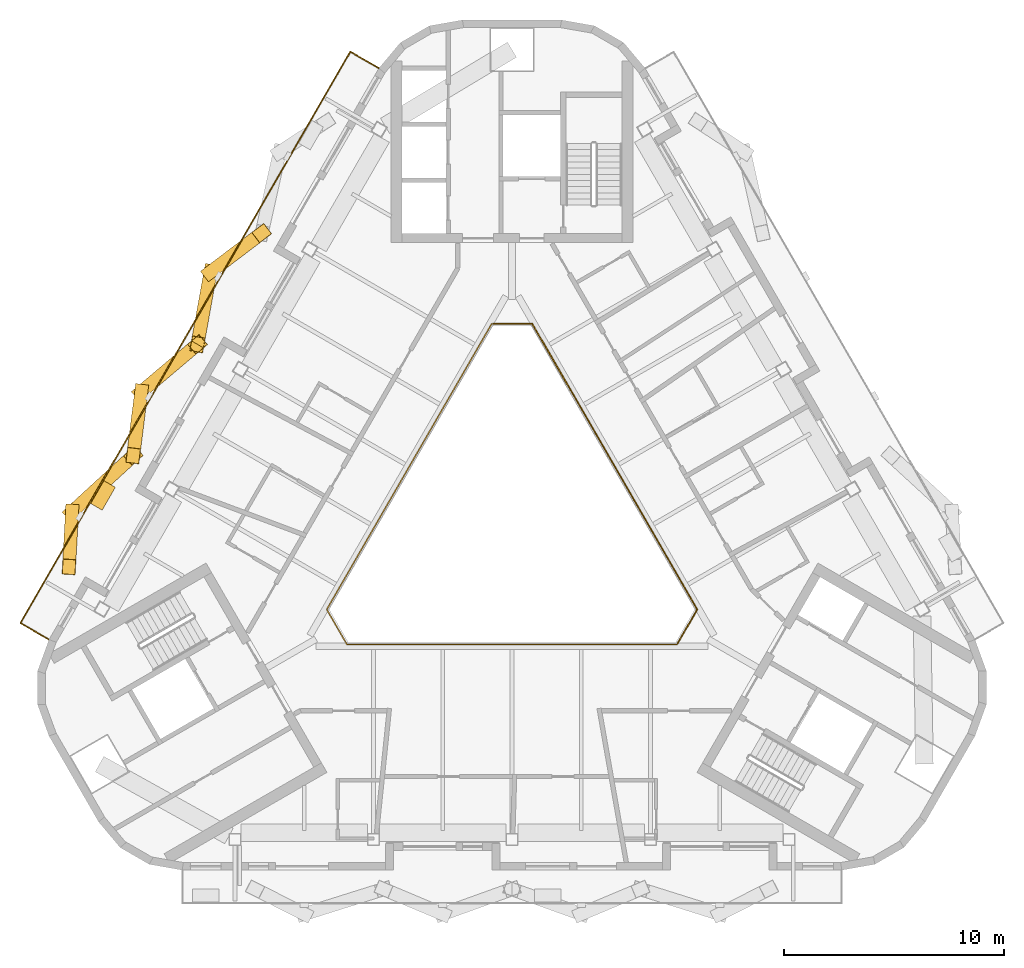
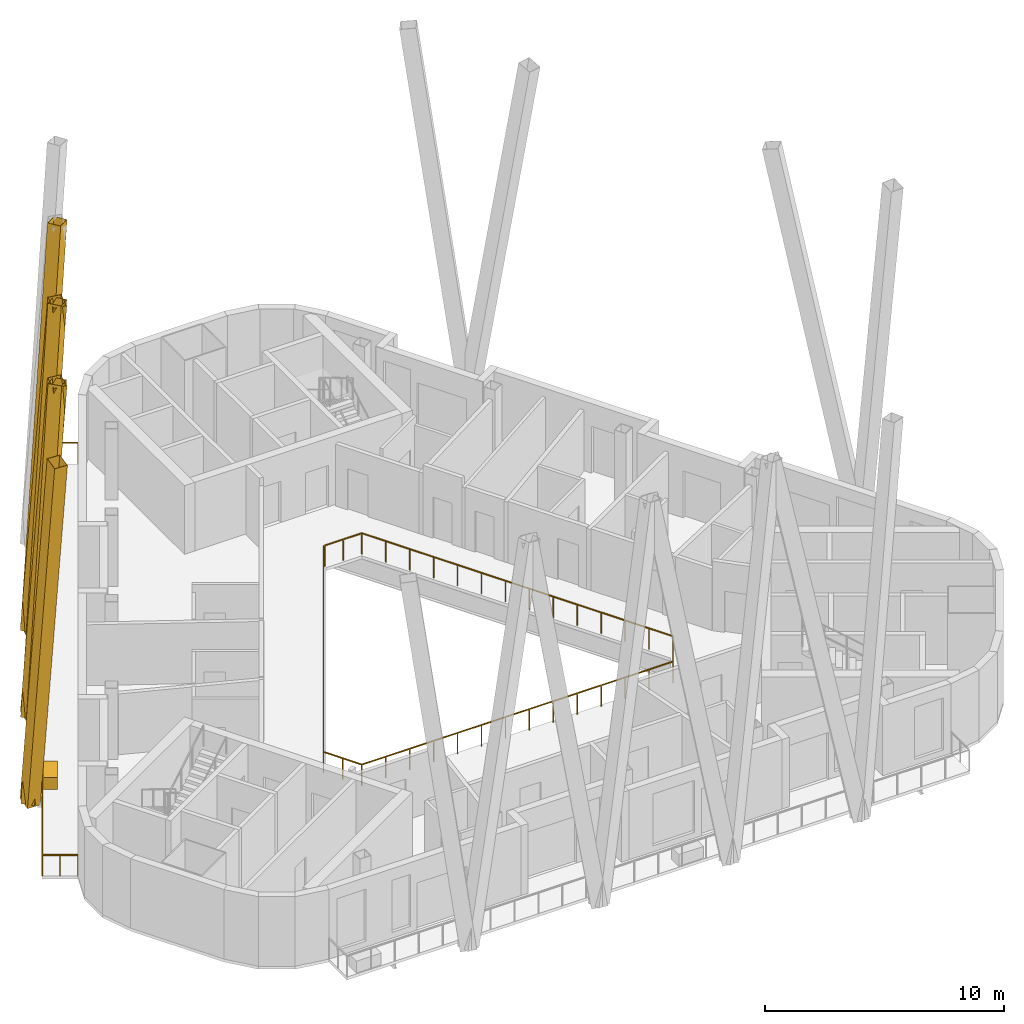
# One storey, part 9 of 12: 6 shading devices, 3 railings, 1 covering.
"""IFC4 building model written with IfcOpenShell, lengths in metres."""

from ifc_helpers import new_model, si_unit, direction, frame, origin, origin_2d, place, context, subcontext, project, spatial, rectangle, hollow_rectangle, extrude, material, material_profile, profile_set, type_object, element, save


model = new_model("IFC4")

# Units and contexts
model_context = context("Model", 3, precision=1e-05, world=origin(), true_north=direction((0.0, 1.0)))
body_context = subcontext(model_context, "Body", "Model", "MODEL_VIEW")
ifc_project = project(units=[si_unit("LENGTHUNIT", "METRE"), si_unit("AREAUNIT", "SQUARE_METRE"), si_unit("VOLUMEUNIT", "CUBIC_METRE"), si_unit("PLANEANGLEUNIT", "RADIAN"), si_unit("MASSUNIT", "GRAM", prefix="KILO")], contexts=[model_context])

# Site, building, storey
site_placement = place(None, origin())
site = spatial("IfcSite", under=ifc_project, at=site_placement, CompositionType="ELEMENT")
building_placement = place(site_placement, origin())
building = spatial("IfcBuilding", under=site, at=building_placement, Name="Apuvela Tower Hotel", CompositionType="ELEMENT")
storey_placement = place(building_placement, frame((0.0, 0.0, 324.39990234375)))
storey = spatial("IfcBuildingStorey", under=building, at=storey_placement, Name="L81", CompositionType="ELEMENT", Elevation=324.39990234375)

# Shading devices
ifc_material_1 = material(Name="Aluminium 6063-T6, black anodised", Category="aluminium")
ifc_material_profile = material_profile(ifc_material_1, hollow_rectangle(XDim=0.60009765625, YDim=0.699951171875, WallThickness=0.011962890625, at=origin_2d()), Name="AL BOX 700x600x12")
ifc_profile_set = profile_set([ifc_material_profile], Name="Aluminium 6063-T6, black anodised")
shading_device_type = type_object("IfcShadingDeviceType", Name="ENV-FIN-700x600", PredefinedType="USERDEFINED", material=ifc_profile_set)
shading_device_1_placement = place(storey_placement, frame((-13.71875, 11.55908203125, -0.099853515625), z_axis=(0.12181038165, 0.092385425697, 0.988244485965), x_axis=(-0.604293271751, 0.796761973061, 0.0)))
element("IfcShadingDevice", 1, at=shading_device_1_placement, inside=storey, type_object=shading_device_type, Name="Lattice fin NW711", ObjectType="FIN", PredefinedType="USERDEFINED", context=body_context, shape_type="SweptSolid", body=[
    extrude(hollow_rectangle(XDim=0.60009765625, YDim=0.699951171875, WallThickness=0.011962890625, at=origin_2d()), origin(), (0.0, 0.0, 1.0), 19.124755859375),
])
for number, where, z_axis, x_axis, name in (
    (2, (-13.71875, 11.55908203125, -0.099853515625), (-0.030908221126, -0.171712339589, 0.984662152365), (0.984183323974, -0.177152998315, 0.0), "Lattice fin NW712"),
    (3, (-16.869873046875, 6.101318359375, -0.099853515625), (0.133261239969, 0.112630359829, 0.984660268299), (-0.645510783956, 0.763751155676, 0.0), "Lattice fin NW713"),
):
    element("IfcShadingDevice", number, at=place(storey_placement, frame(where, z_axis=z_axis, x_axis=x_axis)), inside=storey, type_object=shading_device_type, Name=name, ObjectType="FIN", PredefinedType="USERDEFINED", context=body_context, shape_type="SweptSolid", body=[
        extrude(hollow_rectangle(XDim=0.60009765625, YDim=0.699951171875, WallThickness=0.011962890625, at=origin_2d()), origin(), (0.0, 0.0, 1.0), 19.1943359375),
    ])
shading_device_2_placement = place(storey_placement, frame((-16.869873046875, 6.101318359375, -0.099853515625), z_axis=(-0.01909746776, -0.151694658688, 0.988242893853), x_axis=(0.992168306794, -0.12490817024, 0.0)))
element("IfcShadingDevice", 4, at=shading_device_2_placement, inside=storey, type_object=shading_device_type, Name="Lattice fin NW714", ObjectType="FIN", PredefinedType="USERDEFINED", context=body_context, shape_type="SweptSolid", body=[
    extrude(hollow_rectangle(XDim=0.60009765625, YDim=0.699951171875, WallThickness=0.011962890625, at=origin_2d()), origin(), (0.0, 0.0, 1.0), 19.124755859375),
])
shading_device_3_placement = place(storey_placement, frame((-20.021240234375, 0.64306640625, -0.099853515625), z_axis=(0.144549926219, 0.132668763338, 0.980563265712), x_axis=(-0.676180546698, 0.736735955596, 0.0)))
element("IfcShadingDevice", 5, at=shading_device_3_placement, inside=storey, type_object=shading_device_type, Name="Lattice fin NW715", ObjectType="FIN", PredefinedType="USERDEFINED", context=body_context, shape_type="SweptSolid", body=[
    extrude(hollow_rectangle(XDim=0.60009765625, YDim=0.699951171875, WallThickness=0.011962890625, at=origin_2d()), origin(), (0.0, 0.0, 1.0), 19.274658203125),
])
shading_device_4_placement = place(storey_placement, frame((-20.021240234375, 0.64306640625, -0.099853515625), z_axis=(-0.007183710281, -0.131419641029, 0.991300798072), x_axis=(0.998509351823, -0.054580897045, 0.0)))
element("IfcShadingDevice", 6, at=shading_device_4_placement, inside=storey, type_object=shading_device_type, Name="Lattice fin NW716", ObjectType="FIN", PredefinedType="USERDEFINED", context=body_context, shape_type="SweptSolid", body=[
    extrude(hollow_rectangle(XDim=0.60009765625, YDim=0.699951171875, WallThickness=0.011962890625, at=origin_2d()), origin(), (0.0, 0.0, 1.0), 19.065673828125),
])

# Railings
ifc_material_2 = material(Name="Stainless steel 316 rail with laminated glass infill", Category="steel")
railing_type = type_object("IfcRailingType", Name="ENV-GUARD-1100", PredefinedType="GUARDRAIL", material=ifc_material_2)
railing_1_placement = place(storey_placement, frame((-6.056884765625, 20.830078125, 0.0)))
element("IfcRailing", 7, at=railing_1_placement, inside=storey, type_object=railing_type, Name="Balcony guard NW L81", PredefinedType="GUARDRAIL", context=body_context, shape_type="SweptSolid", body=[
    extrude(rectangle(XDim=0.050048828125, YDim=0.050048828125, at=origin_2d()), frame((0.0, 0.0, 1.0751953125), z_axis=(-0.866031096941, 0.499990139034, 0.0), x_axis=(-0.499990139034, -0.866031096941, 0.0)), (0.0, 0.0, 1.0), 1.5),
    extrude(rectangle(XDim=0.050048828125, YDim=0.050048828125, at=origin_2d()), frame((-1.299072265625, 0.75, 1.0751953125), z_axis=(-0.499994407638, -0.866028632512, 0.0), x_axis=(0.866028632512, -0.499994407638, 0.0)), (0.0, 0.0, 1.0), 30.021728515625),
    extrude(rectangle(XDim=0.050048828125, YDim=0.050048828125, at=origin_2d()), frame((-16.309814453125, -25.249755859375, 1.0751953125), z_axis=(0.866031096941, -0.499990139034, 0.0), x_axis=(0.499990139034, 0.866031096941, 0.0)), (0.0, 0.0, 1.0), 1.5),
    extrude(rectangle(XDim=0.0400390625, YDim=0.0400390625, at=origin_2d()), origin(), (0.0, 0.0, 1.0), 1.050048828125),
    extrude(rectangle(XDim=0.0400390625, YDim=0.0400390625, at=origin_2d()), frame((-0.6494140625, 0.375, 0.0)), (0.0, 0.0, 1.0), 1.050048828125),
    extrude(rectangle(XDim=0.0400390625, YDim=0.0400390625, at=origin_2d()), frame((-1.299072265625, 0.75, 0.0)), (0.0, 0.0, 1.0), 1.050048828125),
    extrude(rectangle(XDim=0.0400390625, YDim=0.0400390625, at=origin_2d()), frame((-1.87646484375, -0.25, 0.0)), (0.0, 0.0, 1.0), 1.050048828125),
    extrude(rectangle(XDim=0.0400390625, YDim=0.0400390625, at=origin_2d()), frame((-2.453857421875, -1.25, 0.0)), (0.0, 0.0, 1.0), 1.050048828125),
    extrude(rectangle(XDim=0.0400390625, YDim=0.0400390625, at=origin_2d()), frame((-3.031005859375, -2.25, 0.0)), (0.0, 0.0, 1.0), 1.050048828125),
    extrude(rectangle(XDim=0.0400390625, YDim=0.0400390625, at=origin_2d()), frame((-3.6083984375, -3.25, 0.0)), (0.0, 0.0, 1.0), 1.050048828125),
    extrude(rectangle(XDim=0.0400390625, YDim=0.0400390625, at=origin_2d()), frame((-4.185791015625, -4.25, 0.0)), (0.0, 0.0, 1.0), 1.050048828125),
    extrude(rectangle(XDim=0.0400390625, YDim=0.0400390625, at=origin_2d()), frame((-4.76318359375, -5.25, 0.0)), (0.0, 0.0, 1.0), 1.050048828125),
    extrude(rectangle(XDim=0.0400390625, YDim=0.0400390625, at=origin_2d()), frame((-5.34033203125, -6.25, 0.0)), (0.0, 0.0, 1.0), 1.050048828125),
    extrude(rectangle(XDim=0.0400390625, YDim=0.0400390625, at=origin_2d()), frame((-5.917724609375, -7.25, 0.0)), (0.0, 0.0, 1.0), 1.050048828125),
    extrude(rectangle(XDim=0.0400390625, YDim=0.0400390625, at=origin_2d()), frame((-6.4951171875, -8.25, 0.0)), (0.0, 0.0, 1.0), 1.050048828125),
    extrude(rectangle(XDim=0.0400390625, YDim=0.0400390625, at=origin_2d()), frame((-7.072509765625, -9.25, 0.0)), (0.0, 0.0, 1.0), 1.050048828125),
    extrude(rectangle(XDim=0.0400390625, YDim=0.0400390625, at=origin_2d()), frame((-7.649658203125, -10.25, 0.0)), (0.0, 0.0, 1.0), 1.050048828125),
    extrude(rectangle(XDim=0.0400390625, YDim=0.0400390625, at=origin_2d()), frame((-8.22705078125, -11.25, 0.0)), (0.0, 0.0, 1.0), 1.050048828125),
    extrude(rectangle(XDim=0.0400390625, YDim=0.0400390625, at=origin_2d()), frame((-8.804443359375, -12.25, 0.0)), (0.0, 0.0, 1.0), 1.050048828125),
    extrude(rectangle(XDim=0.0400390625, YDim=0.0400390625, at=origin_2d()), frame((-9.3818359375, -13.249755859375, 0.0)), (0.0, 0.0, 1.0), 1.050048828125),
    extrude(rectangle(XDim=0.0400390625, YDim=0.0400390625, at=origin_2d()), frame((-9.959228515625, -14.249755859375, 0.0)), (0.0, 0.0, 1.0), 1.050048828125),
    extrude(rectangle(XDim=0.0400390625, YDim=0.0400390625, at=origin_2d()), frame((-10.536376953125, -15.249755859375, 0.0)), (0.0, 0.0, 1.0), 1.050048828125),
    extrude(rectangle(XDim=0.0400390625, YDim=0.0400390625, at=origin_2d()), frame((-11.11376953125, -16.249755859375, 0.0)), (0.0, 0.0, 1.0), 1.050048828125),
    extrude(rectangle(XDim=0.0400390625, YDim=0.0400390625, at=origin_2d()), frame((-11.691162109375, -17.249755859375, 0.0)), (0.0, 0.0, 1.0), 1.050048828125),
    extrude(rectangle(XDim=0.0400390625, YDim=0.0400390625, at=origin_2d()), frame((-12.2685546875, -18.249755859375, 0.0)), (0.0, 0.0, 1.0), 1.050048828125),
    extrude(rectangle(XDim=0.0400390625, YDim=0.0400390625, at=origin_2d()), frame((-12.845703125, -19.249755859375, 0.0)), (0.0, 0.0, 1.0), 1.050048828125),
    extrude(rectangle(XDim=0.0400390625, YDim=0.0400390625, at=origin_2d()), frame((-13.423095703125, -20.249755859375, 0.0)), (0.0, 0.0, 1.0), 1.050048828125),
    extrude(rectangle(XDim=0.0400390625, YDim=0.0400390625, at=origin_2d()), frame((-14.00048828125, -21.249755859375, 0.0)), (0.0, 0.0, 1.0), 1.050048828125),
    extrude(rectangle(XDim=0.0400390625, YDim=0.0400390625, at=origin_2d()), frame((-14.577880859375, -22.249755859375, 0.0)), (0.0, 0.0, 1.0), 1.050048828125),
    extrude(rectangle(XDim=0.0400390625, YDim=0.0400390625, at=origin_2d()), frame((-15.155029296875, -23.249755859375, 0.0)), (0.0, 0.0, 1.0), 1.050048828125),
    extrude(rectangle(XDim=0.0400390625, YDim=0.0400390625, at=origin_2d()), frame((-15.732421875, -24.249755859375, 0.0)), (0.0, 0.0, 1.0), 1.050048828125),
    extrude(rectangle(XDim=0.0400390625, YDim=0.0400390625, at=origin_2d()), frame((-16.309814453125, -25.249755859375, 0.0)), (0.0, 0.0, 1.0), 1.050048828125),
    extrude(rectangle(XDim=0.0400390625, YDim=0.0400390625, at=origin_2d()), frame((-15.66015625, -25.624755859375, 0.0)), (0.0, 0.0, 1.0), 1.050048828125),
    extrude(rectangle(XDim=0.0400390625, YDim=0.0400390625, at=origin_2d()), frame((-15.0107421875, -25.999755859375, 0.0)), (0.0, 0.0, 1.0), 1.050048828125),
])
railing_2_placement = place(storey_placement, frame((-0.923828125, 9.199951171875, 0.0)))
element("IfcRailing", 8, at=railing_2_placement, inside=storey, type_object=railing_type, Name="Atrium void guard A L81", PredefinedType="GUARDRAIL", context=body_context, shape_type="SweptSolid", body=[
    extrude(rectangle(XDim=0.050048828125, YDim=0.050048828125, at=origin_2d()), frame((0.0, 0.0, 1.0751953125), z_axis=(-0.499990886379, -0.866030665472, 0.0), x_axis=(0.866030665472, -0.499990886379, 0.0)), (0.0, 0.0, 1.0), 15.010986328125),
    extrude(rectangle(XDim=0.050048828125, YDim=0.050048828125, at=origin_2d()), frame((-7.50537109375, -13.0, 1.0751953125), z_axis=(0.499962699187, -0.866046938348, 0.0), x_axis=(0.866046938348, 0.499962699187, 0.0)), (0.0, 0.0, 1.0), 1.847412109375),
    extrude(rectangle(XDim=0.050048828125, YDim=0.050048828125, at=origin_2d()), frame((-6.581787109375, -14.599853515625, 1.0751953125), z_axis=(1.0, 0.0, 0.0), x_axis=(0.0, 1.0, 0.0)), (0.0, 0.0, 1.0), 15.01123046875),
    extrude(rectangle(XDim=0.0400390625, YDim=0.0400390625, at=origin_2d()), origin(), (0.0, 0.0, 1.0), 1.050048828125),
    extrude(rectangle(XDim=0.0400390625, YDim=0.0400390625, at=origin_2d()), frame((-0.577392578125, -1.0, 0.0)), (0.0, 0.0, 1.0), 1.050048828125),
    extrude(rectangle(XDim=0.0400390625, YDim=0.0400390625, at=origin_2d()), frame((-1.15478515625, -2.0, 0.0)), (0.0, 0.0, 1.0), 1.050048828125),
    extrude(rectangle(XDim=0.0400390625, YDim=0.0400390625, at=origin_2d()), frame((-1.73193359375, -3.0, 0.0)), (0.0, 0.0, 1.0), 1.050048828125),
    extrude(rectangle(XDim=0.0400390625, YDim=0.0400390625, at=origin_2d()), frame((-2.309326171875, -4.0, 0.0)), (0.0, 0.0, 1.0), 1.050048828125),
    extrude(rectangle(XDim=0.0400390625, YDim=0.0400390625, at=origin_2d()), frame((-2.88671875, -5.0, 0.0)), (0.0, 0.0, 1.0), 1.050048828125),
    extrude(rectangle(XDim=0.0400390625, YDim=0.0400390625, at=origin_2d()), frame((-3.464111328125, -6.0, 0.0)), (0.0, 0.0, 1.0), 1.050048828125),
    extrude(rectangle(XDim=0.0400390625, YDim=0.0400390625, at=origin_2d()), frame((-4.041259765625, -7.0, 0.0)), (0.0, 0.0, 1.0), 1.050048828125),
    extrude(rectangle(XDim=0.0400390625, YDim=0.0400390625, at=origin_2d()), frame((-4.61865234375, -8.0, 0.0)), (0.0, 0.0, 1.0), 1.050048828125),
    extrude(rectangle(XDim=0.0400390625, YDim=0.0400390625, at=origin_2d()), frame((-5.196044921875, -9.0, 0.0)), (0.0, 0.0, 1.0), 1.050048828125),
    extrude(rectangle(XDim=0.0400390625, YDim=0.0400390625, at=origin_2d()), frame((-5.7734375, -10.0, 0.0)), (0.0, 0.0, 1.0), 1.050048828125),
    extrude(rectangle(XDim=0.0400390625, YDim=0.0400390625, at=origin_2d()), frame((-6.3505859375, -11.0, 0.0)), (0.0, 0.0, 1.0), 1.050048828125),
    extrude(rectangle(XDim=0.0400390625, YDim=0.0400390625, at=origin_2d()), frame((-6.927978515625, -12.0, 0.0)), (0.0, 0.0, 1.0), 1.050048828125),
    extrude(rectangle(XDim=0.0400390625, YDim=0.0400390625, at=origin_2d()), frame((-7.50537109375, -13.0, 0.0)), (0.0, 0.0, 1.0), 1.050048828125),
    extrude(rectangle(XDim=0.0400390625, YDim=0.0400390625, at=origin_2d()), frame((-7.04345703125, -13.7998046875, 0.0)), (0.0, 0.0, 1.0), 1.050048828125),
    extrude(rectangle(XDim=0.0400390625, YDim=0.0400390625, at=origin_2d()), frame((-6.581787109375, -14.599853515625, 0.0)), (0.0, 0.0, 1.0), 1.050048828125),
    extrude(rectangle(XDim=0.0400390625, YDim=0.0400390625, at=origin_2d()), frame((-5.427001953125, -14.599853515625, 0.0)), (0.0, 0.0, 1.0), 1.050048828125),
    extrude(rectangle(XDim=0.0400390625, YDim=0.0400390625, at=origin_2d()), frame((-4.2724609375, -14.599853515625, 0.0)), (0.0, 0.0, 1.0), 1.050048828125),
    extrude(rectangle(XDim=0.0400390625, YDim=0.0400390625, at=origin_2d()), frame((-3.11767578125, -14.599853515625, 0.0)), (0.0, 0.0, 1.0), 1.050048828125),
    extrude(rectangle(XDim=0.0400390625, YDim=0.0400390625, at=origin_2d()), frame((-1.962890625, -14.599853515625, 0.0)), (0.0, 0.0, 1.0), 1.050048828125),
    extrude(rectangle(XDim=0.0400390625, YDim=0.0400390625, at=origin_2d()), frame((-0.808349609375, -14.599853515625, 0.0)), (0.0, 0.0, 1.0), 1.050048828125),
    extrude(rectangle(XDim=0.0400390625, YDim=0.0400390625, at=origin_2d()), frame((0.346435546875, -14.599853515625, 0.0)), (0.0, 0.0, 1.0), 1.050048828125),
    extrude(rectangle(XDim=0.0400390625, YDim=0.0400390625, at=origin_2d()), frame((1.501220703125, -14.599853515625, 0.0)), (0.0, 0.0, 1.0), 1.050048828125),
    extrude(rectangle(XDim=0.0400390625, YDim=0.0400390625, at=origin_2d()), frame((2.656005859375, -14.599853515625, 0.0)), (0.0, 0.0, 1.0), 1.050048828125),
    extrude(rectangle(XDim=0.0400390625, YDim=0.0400390625, at=origin_2d()), frame((3.810546875, -14.599853515625, 0.0)), (0.0, 0.0, 1.0), 1.050048828125),
    extrude(rectangle(XDim=0.0400390625, YDim=0.0400390625, at=origin_2d()), frame((4.96533203125, -14.599853515625, 0.0)), (0.0, 0.0, 1.0), 1.050048828125),
    extrude(rectangle(XDim=0.0400390625, YDim=0.0400390625, at=origin_2d()), frame((6.1201171875, -14.599853515625, 0.0)), (0.0, 0.0, 1.0), 1.050048828125),
    extrude(rectangle(XDim=0.0400390625, YDim=0.0400390625, at=origin_2d()), frame((7.274658203125, -14.599853515625, 0.0)), (0.0, 0.0, 1.0), 1.050048828125),
    extrude(rectangle(XDim=0.0400390625, YDim=0.0400390625, at=origin_2d()), frame((8.429443359375, -14.599853515625, 0.0)), (0.0, 0.0, 1.0), 1.050048828125),
])
railing_3_placement = place(storey_placement, frame((7.53564453125, -5.347900390625, 0.0)))
element("IfcRailing", 9, at=railing_3_placement, inside=storey, type_object=railing_type, Name="Atrium void guard B L81", PredefinedType="GUARDRAIL", context=body_context, shape_type="SweptSolid", body=[
    extrude(rectangle(XDim=0.050048828125, YDim=0.050048828125, at=origin_2d()), frame((0.0, 0.0, 1.0751953125), z_axis=(0.499958946799, 0.866049104564, 0.0), x_axis=(-0.866049104564, 0.499958946799, 0.0)), (0.0, 0.0, 1.0), 1.787353515625),
    extrude(rectangle(XDim=0.050048828125, YDim=0.050048828125, at=origin_2d()), frame((0.8935546875, 1.5478515625, 1.0751953125), z_axis=(-0.499990886379, 0.866030665472, 0.0), x_axis=(-0.866030665472, -0.499990886379, 0.0)), (0.0, 0.0, 1.0), 15.010986328125),
    extrude(rectangle(XDim=0.050048828125, YDim=0.050048828125, at=origin_2d()), frame((-6.61181640625, 14.5478515625, 1.0751953125), z_axis=(-1.0, 0.0, 0.0), x_axis=(0.0, -1.0, 0.0)), (0.0, 0.0, 1.0), 1.78759765625),
    extrude(rectangle(XDim=0.0400390625, YDim=0.0400390625, at=origin_2d()), origin(), (0.0, 0.0, 1.0), 1.050048828125),
    extrude(rectangle(XDim=0.0400390625, YDim=0.0400390625, at=origin_2d()), frame((0.44677734375, 0.77392578125, 0.0)), (0.0, 0.0, 1.0), 1.050048828125),
    extrude(rectangle(XDim=0.0400390625, YDim=0.0400390625, at=origin_2d()), frame((0.8935546875, 1.5478515625, 0.0)), (0.0, 0.0, 1.0), 1.050048828125),
    extrude(rectangle(XDim=0.0400390625, YDim=0.0400390625, at=origin_2d()), frame((0.316162109375, 2.5478515625, 0.0)), (0.0, 0.0, 1.0), 1.050048828125),
    extrude(rectangle(XDim=0.0400390625, YDim=0.0400390625, at=origin_2d()), frame((-0.26123046875, 3.5478515625, 0.0)), (0.0, 0.0, 1.0), 1.050048828125),
    extrude(rectangle(XDim=0.0400390625, YDim=0.0400390625, at=origin_2d()), frame((-0.83837890625, 4.5478515625, 0.0)), (0.0, 0.0, 1.0), 1.050048828125),
    extrude(rectangle(XDim=0.0400390625, YDim=0.0400390625, at=origin_2d()), frame((-1.415771484375, 5.5478515625, 0.0)), (0.0, 0.0, 1.0), 1.050048828125),
    extrude(rectangle(XDim=0.0400390625, YDim=0.0400390625, at=origin_2d()), frame((-1.9931640625, 6.5478515625, 0.0)), (0.0, 0.0, 1.0), 1.050048828125),
    extrude(rectangle(XDim=0.0400390625, YDim=0.0400390625, at=origin_2d()), frame((-2.570556640625, 7.5478515625, 0.0)), (0.0, 0.0, 1.0), 1.050048828125),
    extrude(rectangle(XDim=0.0400390625, YDim=0.0400390625, at=origin_2d()), frame((-3.147705078125, 8.5478515625, 0.0)), (0.0, 0.0, 1.0), 1.050048828125),
    extrude(rectangle(XDim=0.0400390625, YDim=0.0400390625, at=origin_2d()), frame((-3.72509765625, 9.5478515625, 0.0)), (0.0, 0.0, 1.0), 1.050048828125),
    extrude(rectangle(XDim=0.0400390625, YDim=0.0400390625, at=origin_2d()), frame((-4.302490234375, 10.5478515625, 0.0)), (0.0, 0.0, 1.0), 1.050048828125),
    extrude(rectangle(XDim=0.0400390625, YDim=0.0400390625, at=origin_2d()), frame((-4.8798828125, 11.5478515625, 0.0)), (0.0, 0.0, 1.0), 1.050048828125),
    extrude(rectangle(XDim=0.0400390625, YDim=0.0400390625, at=origin_2d()), frame((-5.45703125, 12.5478515625, 0.0)), (0.0, 0.0, 1.0), 1.050048828125),
    extrude(rectangle(XDim=0.0400390625, YDim=0.0400390625, at=origin_2d()), frame((-6.034423828125, 13.5478515625, 0.0)), (0.0, 0.0, 1.0), 1.050048828125),
    extrude(rectangle(XDim=0.0400390625, YDim=0.0400390625, at=origin_2d()), frame((-6.61181640625, 14.5478515625, 0.0)), (0.0, 0.0, 1.0), 1.050048828125),
    extrude(rectangle(XDim=0.0400390625, YDim=0.0400390625, at=origin_2d()), frame((-7.505615234375, 14.5478515625, 0.0)), (0.0, 0.0, 1.0), 1.050048828125),
    extrude(rectangle(XDim=0.0400390625, YDim=0.0400390625, at=origin_2d()), frame((-8.3994140625, 14.5478515625, 0.0)), (0.0, 0.0, 1.0), 1.050048828125),
])

# Covering
ifc_material_3 = material(Name="Planting substrate and soil, planted")
covering_type = type_object("IfcCoveringType", Name="ENV-PLANTER-1200x600", PredefinedType="USERDEFINED", material=ifc_material_3)
covering_placement = place(storey_placement, frame((-18.609619140625, 1.38818359375, 0.0), z_axis=(0.0, 0.0, 1.0), x_axis=(-0.5, -0.866025403784, 0.0)))
element("IfcCovering", 10, at=covering_placement, inside=storey, type_object=covering_type, Name="Planter NW5", ObjectType="PLANTER", PredefinedType="USERDEFINED", context=body_context, shape_type="SweptSolid", body=[
    extrude(rectangle(XDim=1.199951171875, YDim=0.60009765625, at=origin_2d()), origin(), (0.0, 0.0, 1.0), 0.60009765625),
])

save(model, "model.ifc")
